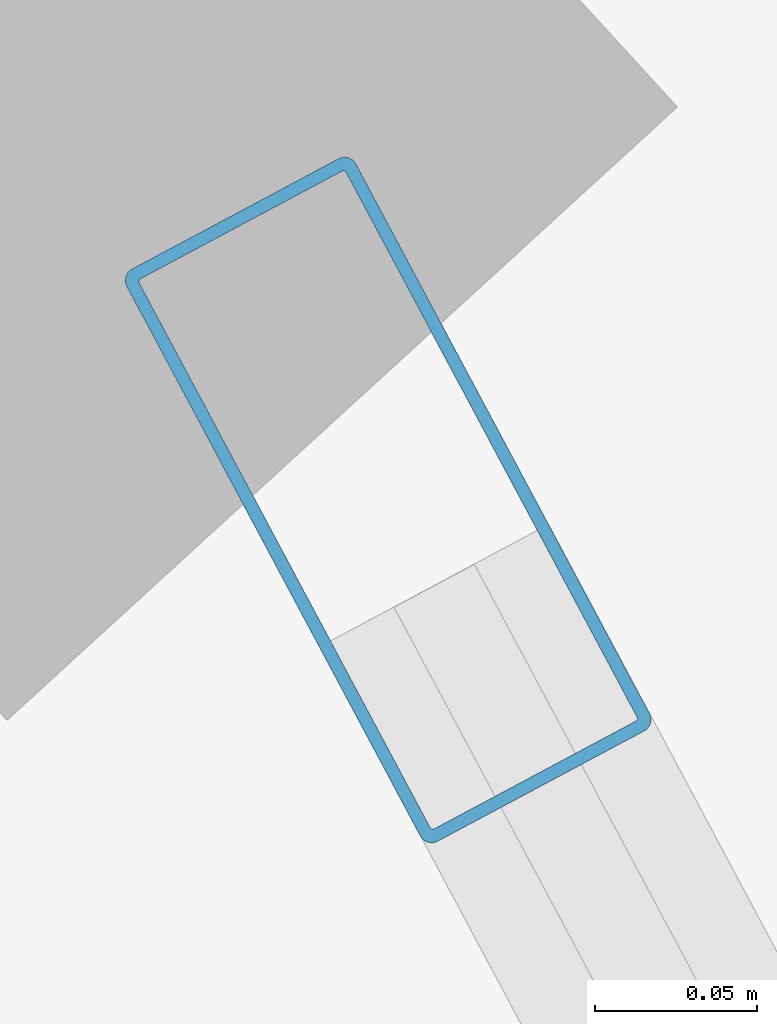
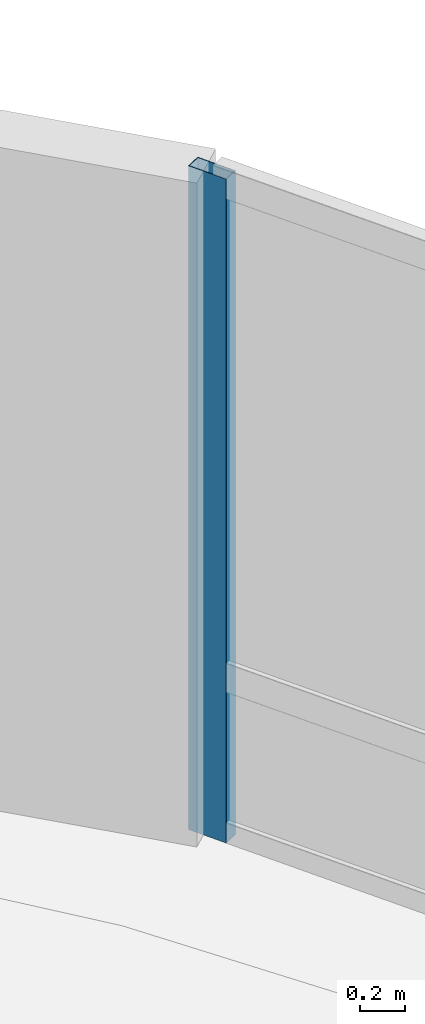
# One storey, part 15 of 22: 1 member, 1 element without a shape of its own.
"""IFC4 building model written with IfcOpenShell, lengths in metres."""

import ifcopenshell
import ifcopenshell.guid

model = None  # the IFC model being written
_history = None  # IfcOwnerHistory: only IFC2X3 demands one
_inside = {}  # id of a spatial element -> (the spatial element, [elements in it])
_under = {}  # id of a project, library or spatial element -> (it, [spatial elements below it])
_declared = {}  # id of a project -> (the project, [libraries it declares])
_typed = {}  # id of a type object -> (the type object, [elements of that type])
_made_of = {}  # id of a material, layer set ... -> (it, [elements and type objects made of it])


def new_model(schema):
    """Start an empty IFC model of exactly this schema.

    Asked for "IFC4X3", IfcOpenShell would pick the latest addendum, in which some entities
    have other attributes; the version numbers below select the first issue.
    IFC2X3 requires an IfcOwnerHistory on every rooted entity: one is made here for all.
    """
    global model, _history
    if schema == "IFC4X3":
        model = ifcopenshell.file(schema_version=(4, 3, 0, 0))
    else:
        model = ifcopenshell.file(schema=schema)
    _inside.clear()
    _under.clear()
    _declared.clear()
    _typed.clear()
    _made_of.clear()
    _history = None
    if model.schema == "IFC2X3":
        org = make("IfcOrganization", Name="unknown")
        user = make(
            "IfcPersonAndOrganization",
            ThePerson=make("IfcPerson", FamilyName="unknown"),
            TheOrganization=org,
        )
        app = make(
            "IfcApplication",
            ApplicationDeveloper=org,
            Version="unknown",
            ApplicationFullName="unknown",
            ApplicationIdentifier="unknown",
        )
        _history = make(
            "IfcOwnerHistory",
            OwningUser=user,
            OwningApplication=app,
            ChangeAction="ADDED",
            CreationDate=0,
        )
    return model


def make(cls, **values):
    """One entity of the class cls with the attributes given. An attribute that is None is left unset."""
    return model.create_entity(
        cls, **{name: value for name, value in values.items() if value is not None}
    )


def rooted(cls, **values):
    """An entity with a GlobalId (a new one), such as an element, a storey or a relation."""
    return make(cls, GlobalId=ifcopenshell.guid.new(), OwnerHistory=_history, **values)


def si_unit(unit_type, name, prefix=None):
    """IfcSIUnit, for example si_unit("LENGTHUNIT", "METRE", prefix="MILLI")."""
    return make("IfcSIUnit", UnitType=unit_type, Prefix=prefix, Name=name)


def assignment(units):
    """IfcUnitAssignment: the units of a project."""
    return None if units is None else make("IfcUnitAssignment", Units=units)


def point(xyz):
    """IfcCartesianPoint."""
    return None if xyz is None else make("IfcCartesianPoint", Coordinates=xyz)


def direction(xyz):
    """IfcDirection."""
    return None if xyz is None else make("IfcDirection", DirectionRatios=xyz)


def frame(location, z_axis=None, x_axis=None):
    """IfcAxis2Placement3D, a coordinate frame: its origin and axes. An axis left out is left unset."""
    return make(
        "IfcAxis2Placement3D",
        Location=point(location),
        Axis=direction(z_axis),
        RefDirection=direction(x_axis),
    )


def frame_2d(location, x_axis=None):
    """IfcAxis2Placement2D, a coordinate frame in the plane: its origin and x axis."""
    return make(
        "IfcAxis2Placement2D", Location=point(location), RefDirection=direction(x_axis)
    )


def origin():
    """The frame at (0, 0, 0) with its axes left unset."""
    return frame((0.0, 0.0, 0.0))


def origin_2d():
    """The frame at (0, 0) in the plane with its x axis left unset."""
    return frame_2d((0.0, 0.0))


def place(relative_to, where):
    """IfcLocalPlacement: puts the frame where relative to a parent placement (None: the world)."""
    return make(
        "IfcLocalPlacement", PlacementRelTo=relative_to, RelativePlacement=where
    )


def context(
    kind, dimensions, precision=None, world=None, true_north=None, identifier=None
):
    """IfcGeometricRepresentationContext, for example the 3D "Model" context."""
    return make(
        "IfcGeometricRepresentationContext",
        ContextIdentifier=identifier,
        ContextType=kind,
        CoordinateSpaceDimension=dimensions,
        Precision=precision,
        WorldCoordinateSystem=world,
        TrueNorth=true_north,
    )


def subcontext(parent, identifier, kind, view, scale=None):
    """IfcGeometricRepresentationSubContext, for example "Body" below "Model"."""
    return make(
        "IfcGeometricRepresentationSubContext",
        ContextIdentifier=identifier,
        ContextType=kind,
        ParentContext=parent,
        TargetScale=scale,
        TargetView=view,
    )


def project(units=None, contexts=None):
    """IfcProject with its units and contexts."""
    return rooted(
        "IfcProject",
        Name="project",
        RepresentationContexts=contexts,
        UnitsInContext=assignment(units),
    )


def spatial(cls, under=None, at=None, **own):
    """A site, building, storey or space (cls), placed at a placement, below another one or the project."""
    s = rooted(cls, ObjectPlacement=at, **own)
    if under is not None:
        _under.setdefault(under.id(), (under, []))[1].append(s)
    return s


def profile(cls, at=None, kind="AREA", **sizes):
    """A parametric profile (cls). Its sizes go by their IFC names, for example OverallWidth=200.0."""
    return make(cls, ProfileType=kind, Position=at, **sizes)


def hollow_rectangle(**sizes):
    """IfcRectangleHollowProfileDef."""
    return profile("IfcRectangleHollowProfileDef", **sizes)


def extrude(swept, where, along, depth):
    """IfcExtrudedAreaSolid: the profile swept, set in the frame where, extruded along a direction by depth."""
    return make(
        "IfcExtrudedAreaSolid",
        SweptArea=swept,
        Position=where,
        ExtrudedDirection=direction(along),
        Depth=depth,
    )


def shape(context_of_items, identifier, shape_type, items):
    """IfcShapeRepresentation: the items that make up one representation, for example the "Body"."""
    return make(
        "IfcShapeRepresentation",
        ContextOfItems=context_of_items,
        RepresentationIdentifier=identifier,
        RepresentationType=shape_type,
        Items=items,
    )


def material(Name=None, Category=None):
    """IfcMaterial."""
    return make("IfcMaterial", Name=Name, Category=Category)


def layer(
    of_material, thickness, ventilated=None, Name=None, Category=None, Priority=None
):
    """IfcMaterialLayer: one layer of a wall or slab, of a material (None: an air gap)."""
    return make(
        "IfcMaterialLayer",
        Material=of_material,
        LayerThickness=thickness,
        IsVentilated=ventilated,
        Name=Name,
        Category=Category,
        Priority=Priority,
    )


def layer_set(layers, Name=None):
    """IfcMaterialLayerSet."""
    return make("IfcMaterialLayerSet", MaterialLayers=layers, LayerSetName=Name)


def material_profile(
    of_material, cross_section, Name=None, Category=None, Priority=None
):
    """IfcMaterialProfile: a cross section and its material."""
    return make(
        "IfcMaterialProfile",
        Name=Name,
        Material=of_material,
        Profile=cross_section,
        Priority=Priority,
        Category=Category,
    )


def profile_set(profiles, Name=None, composite=None):
    """IfcMaterialProfileSet."""
    return make(
        "IfcMaterialProfileSet",
        Name=Name,
        MaterialProfiles=profiles,
        CompositeProfile=composite,
    )


def made_of(thing, what):
    """Note that an element or type object is made of a material, layer set ...; save() writes the relation."""
    if what is not None:
        _made_of.setdefault(what.id(), (what, []))[1].append(thing)
    return thing


def type_object(cls, material=None, **own):
    """A type object (cls), such as IfcWallType, which elements share."""
    return made_of(rooted(cls, **own), material)


def element(
    cls,
    number,
    at=None,
    inside=None,
    cuts=None,
    type_object=None,
    material=None,
    context=None,
    identifier="Body",
    shape_type=None,
    held_by="IfcProductDefinitionShape",
    body=None,
    shapes=None,
    **own,
):
    """One element of the class cls, such as IfcWall. Its Tag is "e" and its number.

    at: its placement. inside: the storey or other place that contains it. cuts: it is an
    opening in that element (IfcRelVoidsElement). A single representation is given by context,
    identifier, shape_type and body (its items); several are given by shapes. held_by: the class
    of the entity that holds the representations. save() writes the other relations.
    """
    e = rooted(cls, Tag="e%d" % number, ObjectPlacement=at, **own)
    if body is not None:
        shapes = [shape(context, identifier, shape_type, body)]
    if shapes is not None:
        e.Representation = make(held_by, Representations=shapes)
    if inside is not None:
        _inside.setdefault(inside.id(), (inside, []))[1].append(e)
    if cuts is not None:
        rooted(
            "IfcRelVoidsElement", RelatingBuildingElement=cuts, RelatedOpeningElement=e
        )
    if type_object is not None:
        _typed.setdefault(type_object.id(), (type_object, []))[1].append(e)
    return made_of(e, material)


def aggregate(whole, parts):
    """IfcRelAggregates: a whole, such as a stair, and the parts it consists of."""
    return rooted("IfcRelAggregates", RelatingObject=whole, RelatedObjects=parts)


def save(model, path):
    """Write the relations noted so far, then the file.

    IfcRelAggregates (storeys below a building ...), IfcRelContainedInSpatialStructure (elements
    in a storey), IfcRelDefinesByType, IfcRelAssociatesMaterial and IfcRelDeclares: one each for
    every whole, place, type object, material and project.
    """
    for whole, parts in _under.values():
        aggregate(whole, parts)
    for where, things in _inside.values():
        rooted(
            "IfcRelContainedInSpatialStructure",
            RelatedElements=things,
            RelatingStructure=where,
        )
    for kind, things in _typed.values():
        rooted("IfcRelDefinesByType", RelatedObjects=things, RelatingType=kind)
    for what, things in _made_of.values():
        rooted("IfcRelAssociatesMaterial", RelatedObjects=things, RelatingMaterial=what)
    for by, libraries in _declared.values():
        rooted("IfcRelDeclares", RelatingContext=by, RelatedDefinitions=libraries)
    model.write(path)


model = new_model("IFC4")

# Units and contexts
model_context = context("Model", 3, precision=1e-05, world=origin(), true_north=direction((0.0, 1.0)))
body_context = subcontext(model_context, "Body", "Model", "MODEL_VIEW")
ifc_project = project(units=[si_unit("LENGTHUNIT", "METRE"), si_unit("AREAUNIT", "SQUARE_METRE"), si_unit("VOLUMEUNIT", "CUBIC_METRE"), si_unit("PLANEANGLEUNIT", "RADIAN"), si_unit("MASSUNIT", "GRAM", prefix="KILO")], contexts=[model_context])

# Site, building, storey
site_placement = place(None, origin())
site = spatial("IfcSite", under=ifc_project, at=site_placement, CompositionType="ELEMENT")
building_placement = place(site_placement, origin())
building = spatial("IfcBuilding", under=site, at=building_placement, Name="Bramvorn Convention Spire", CompositionType="ELEMENT")
storey_placement = place(building_placement, frame((0.0, 0.0, 190.449951171875)))
storey = spatial("IfcBuildingStorey", under=building, at=storey_placement, Name="L48", CompositionType="ELEMENT", Elevation=190.449951171875)

# Curtain wall, member
ifc_material_1 = material(Name="Anodised Bronze Unitised Curtain Wall", Category="aluminium")
ifc_layer = layer(ifc_material_1, 0.179931640625)
ifc_layer_set = layer_set([ifc_layer], Name="Anodised Bronze Unitised Curtain Wall - CW-OFF-FRIT")
curtain_wall_type = type_object("IfcCurtainWallType", Name="CW-OFF-FRIT", PredefinedType="USERDEFINED", material=ifc_layer_set)
curtain_wall_placement = place(storey_placement, origin())
curtain_wall = element("IfcCurtainWall", 1, at=curtain_wall_placement, inside=storey, type_object=curtain_wall_type, Name="L48 fritted glass curtain wall 05", ObjectType="UNITISED CURTAIN WALL", PredefinedType="USERDEFINED")
ifc_material_2 = material(Name="Anodised Bronze Aluminium 6063-T6", Category="aluminium")
ifc_material_profile = material_profile(ifc_material_2, hollow_rectangle(XDim=0.080078125, YDim=0.199951171875, WallThickness=0.00390625, InnerFilletRadius=0.0009765625, OuterFilletRadius=0.00390625, at=origin_2d()))
ifc_profile_set = profile_set([ifc_material_profile], Name="Anodised Bronze Aluminium 6063-T6 - CWM80X200")
member_type = type_object("IfcMemberType", Name="CW-MUL-180", PredefinedType="MULLION", material=ifc_profile_set)
member_placement = place(storey_placement, frame((57.462646484375, 36.476806640625, 0.0), z_axis=(0.0, 0.0, 1.0), x_axis=(0.882049814, 0.471156158426, 0.0)))
member = element("IfcMember", 2, at=member_placement, type_object=member_type, Name="CW3 mullion 1", PredefinedType="MULLION", context=body_context, shape_type="SweptSolid", body=[
    extrude(hollow_rectangle(XDim=0.080078125, YDim=0.199951171875, WallThickness=0.00390625, InnerFilletRadius=0.0009765625, OuterFilletRadius=0.00390625, at=origin_2d()), origin(), (0.0, 0.0, 1.0), 3.6201171875),
])
aggregate(curtain_wall, [member])

save(model, "model.ifc")
